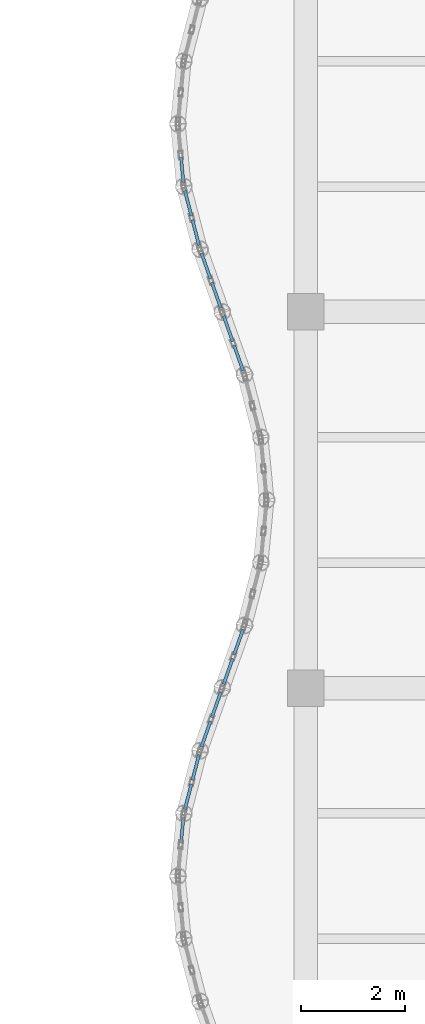
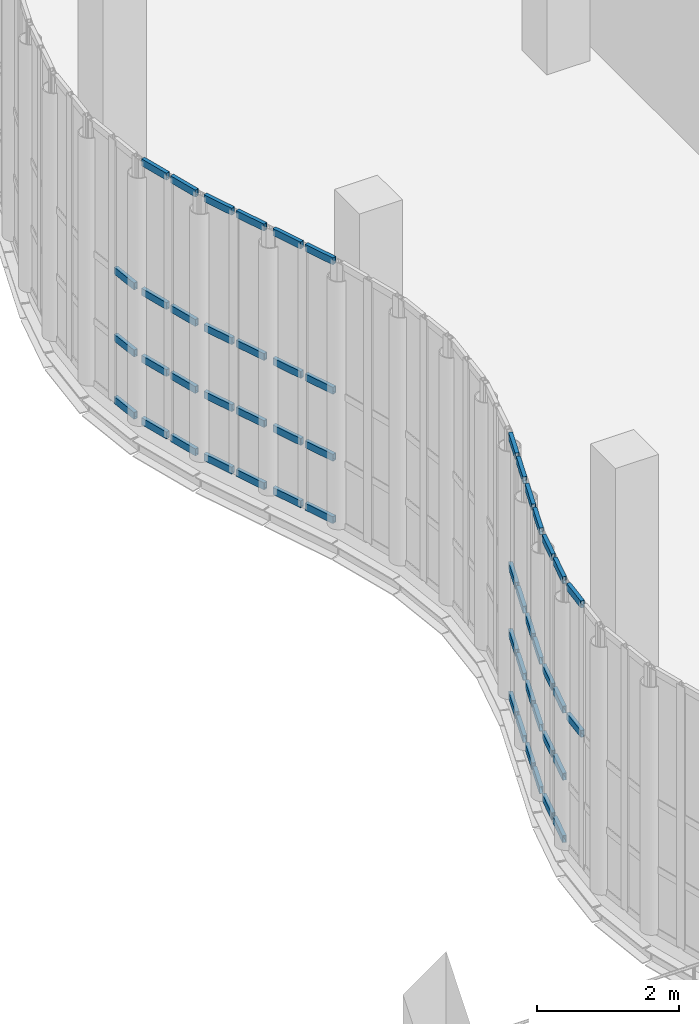
# One storey, part 52 of 108: 53 members, 8 elements without a shape of their own.
"""IFC4 building model written with IfcOpenShell, lengths in metres."""

from ifc_helpers import new_model, si_unit, direction, frame, origin, origin_2d, place, context, subcontext, project, spatial, hollow_rectangle, extrude, material, layer, layer_set, material_profile, profile_set, type_object, element, aggregate, save


model = new_model("IFC4")

# Units and contexts
model_context = context("Model", 3, precision=1e-05, world=origin(), true_north=direction((0.0, 1.0)))
body_context = subcontext(model_context, "Body", "Model", "MODEL_VIEW")
ifc_project = project(units=[si_unit("LENGTHUNIT", "METRE"), si_unit("AREAUNIT", "SQUARE_METRE"), si_unit("VOLUMEUNIT", "CUBIC_METRE"), si_unit("PLANEANGLEUNIT", "RADIAN"), si_unit("MASSUNIT", "GRAM", prefix="KILO"), si_unit("THERMODYNAMICTEMPERATUREUNIT", "KELVIN"), si_unit("POWERUNIT", "WATT")], contexts=[model_context])

# Site, building, storey
site_placement = place(None, origin())
site = spatial("IfcSite", under=ifc_project, at=site_placement, CompositionType="ELEMENT")
building_placement = place(site_placement, origin())
building = spatial("IfcBuilding", under=site, at=building_placement, Name="Kaldorven Railside Theatre", CompositionType="ELEMENT")
storey_placement = place(building_placement, frame((0.0, 0.0, 5.39990234375)))
storey = spatial("IfcBuildingStorey", under=building, at=storey_placement, Name="L01", CompositionType="ELEMENT", Elevation=5.39990234375)

# Curtain wall, members
ifc_material_1 = material(Name="Low-E laminated solar-control glass", Category="glass")
ifc_layer_1 = layer(ifc_material_1, 0.159912109375, Name="Low-E laminated solar-control glass")
ifc_layer_set_1 = layer_set([ifc_layer_1], Name="Low-E laminated solar-control glass")
curtain_wall_type_1 = type_object("IfcCurtainWallType", Name="CWT-03", PredefinedType="USERDEFINED", material=ifc_layer_set_1)
curtain_wall_1_placement = place(storey_placement, origin())
curtain_wall_1 = element("IfcCurtainWall", 1, at=curtain_wall_1_placement, inside=storey, type_object=curtain_wall_type_1, Name="Sinusoidal Fluted Curtain Wall CW-L01-W04", ObjectType="FLUTED GLAZING", PredefinedType="USERDEFINED")
ifc_material_2 = material(Name="Anodised bronze aluminium", Category="aluminium")
ifc_material_profile = material_profile(ifc_material_2, hollow_rectangle(XDim=0.06005859375, YDim=0.1201171875, WallThickness=0.0048828125, at=origin_2d()), Name="RHS 120x60x5")
ifc_profile_set = profile_set([ifc_material_profile], Name="Anodised bronze aluminium")
member_type = type_object("IfcMemberType", Name="CWT-120", PredefinedType="USERDEFINED", material=ifc_profile_set)
member_1_placement = place(storey_placement, frame((70.41064453125, 45.039794921875, 2.25), z_axis=(0.094594245591, 0.995515910823, 0.0), x_axis=(-0.995515910823, 0.094594245591, 0.0)))
member_1 = element("IfcMember", 2, at=member_1_placement, type_object=member_type, Name="CW-L01-W04 transom 2.3", ObjectType="TRANSOM", PredefinedType="USERDEFINED", context=body_context, shape_type="SweptSolid", body=[
    extrude(hollow_rectangle(XDim=0.06005859375, YDim=0.1201171875, WallThickness=0.0048828125, at=origin_2d()), origin(), (0.0, 0.0, 1.0), 0.482666015625),
])
member_2_placement = place(storey_placement, frame((70.41064453125, 45.039794921875, 4.47021484375), z_axis=(0.094594245591, 0.995515910823, 0.0), x_axis=(-0.995515910823, 0.094594245591, 0.0)))
member_2 = element("IfcMember", 3, at=member_2_placement, type_object=member_type, Name="CW-L01-W04 transom 2.4", ObjectType="TRANSOM", PredefinedType="USERDEFINED", context=body_context, shape_type="SweptSolid", body=[
    extrude(hollow_rectangle(XDim=0.06005859375, YDim=0.1201171875, WallThickness=0.0048828125, at=origin_2d()), origin(), (0.0, 0.0, 1.0), 0.482666015625),
])
aggregate(curtain_wall_1, [member_1, member_2])

ifc_layer_2 = layer(ifc_material_1, 0.159912109375, Name="Low-E laminated solar-control glass")
ifc_layer_set_2 = layer_set([ifc_layer_2], Name="Low-E laminated solar-control glass")
curtain_wall_type_2 = type_object("IfcCurtainWallType", Name="CWT-02", PredefinedType="USERDEFINED", material=ifc_layer_set_2)
curtain_wall_2_placement = place(storey_placement, origin())
curtain_wall_2 = element("IfcCurtainWall", 4, at=curtain_wall_2_placement, inside=storey, type_object=curtain_wall_type_2, Name="Sinusoidal Fluted Curtain Wall CW-L01-W05", ObjectType="FLUTED GLAZING", PredefinedType="USERDEFINED")
member_3_placement = place(storey_placement, frame((70.48388671875, 45.677490234375, 0.030029296875), z_axis=(0.251029954561, 0.967979318949, 0.0), x_axis=(-0.967979318949, 0.251029954561, 0.0)))
member_3 = element("IfcMember", 5, at=member_3_placement, type_object=member_type, Name="CW-L01-W05 transom 1.1", ObjectType="TRANSOM", PredefinedType="USERDEFINED", context=body_context, shape_type="SweptSolid", body=[
    extrude(hollow_rectangle(XDim=0.06005859375, YDim=0.1201171875, WallThickness=0.0048828125, at=origin_2d()), origin(), (0.0, 0.0, 1.0), 0.5),
])
member_4_placement = place(storey_placement, frame((70.48388671875, 45.677490234375, 1.10009765625), z_axis=(0.251029954561, 0.967979318949, 0.0), x_axis=(-0.967979318949, 0.251029954561, 0.0)))
member_4 = element("IfcMember", 6, at=member_4_placement, type_object=member_type, Name="CW-L01-W05 transom 1.2", ObjectType="TRANSOM", PredefinedType="USERDEFINED", context=body_context, shape_type="SweptSolid", body=[
    extrude(hollow_rectangle(XDim=0.06005859375, YDim=0.1201171875, WallThickness=0.0048828125, at=origin_2d()), origin(), (0.0, 0.0, 1.0), 0.5),
])
member_5_placement = place(storey_placement, frame((70.48388671875, 45.677490234375, 2.25), z_axis=(0.251029954561, 0.967979318949, 0.0), x_axis=(-0.967979318949, 0.251029954561, 0.0)))
member_5 = element("IfcMember", 7, at=member_5_placement, type_object=member_type, Name="CW-L01-W05 transom 1.3", ObjectType="TRANSOM", PredefinedType="USERDEFINED", context=body_context, shape_type="SweptSolid", body=[
    extrude(hollow_rectangle(XDim=0.06005859375, YDim=0.1201171875, WallThickness=0.0048828125, at=origin_2d()), origin(), (0.0, 0.0, 1.0), 0.5),
])
member_6_placement = place(storey_placement, frame((70.48388671875, 45.677490234375, 4.47021484375), z_axis=(0.251029954561, 0.967979318949, 0.0), x_axis=(-0.967979318949, 0.251029954561, 0.0)))
member_6 = element("IfcMember", 8, at=member_6_placement, type_object=member_type, Name="CW-L01-W05 transom 1.4", ObjectType="TRANSOM", PredefinedType="USERDEFINED", context=body_context, shape_type="SweptSolid", body=[
    extrude(hollow_rectangle(XDim=0.06005859375, YDim=0.1201171875, WallThickness=0.0048828125, at=origin_2d()), origin(), (0.0, 0.0, 1.0), 0.5),
])
member_7_placement = place(storey_placement, frame((70.62939453125, 46.23876953125, 0.030029296875), z_axis=(0.251029954561, 0.967979318949, 0.0), x_axis=(-0.967979318949, 0.251029954561, 0.0)))
member_7 = element("IfcMember", 9, at=member_7_placement, type_object=member_type, Name="CW-L01-W05 transom 2.1", ObjectType="TRANSOM", PredefinedType="USERDEFINED", context=body_context, shape_type="SweptSolid", body=[
    extrude(hollow_rectangle(XDim=0.06005859375, YDim=0.1201171875, WallThickness=0.0048828125, at=origin_2d()), origin(), (0.0, 0.0, 1.0), 0.5),
])
member_8_placement = place(storey_placement, frame((70.62939453125, 46.23876953125, 1.10009765625), z_axis=(0.251029954561, 0.967979318949, 0.0), x_axis=(-0.967979318949, 0.251029954561, 0.0)))
member_8 = element("IfcMember", 10, at=member_8_placement, type_object=member_type, Name="CW-L01-W05 transom 2.2", ObjectType="TRANSOM", PredefinedType="USERDEFINED", context=body_context, shape_type="SweptSolid", body=[
    extrude(hollow_rectangle(XDim=0.06005859375, YDim=0.1201171875, WallThickness=0.0048828125, at=origin_2d()), origin(), (0.0, 0.0, 1.0), 0.5),
])
member_9_placement = place(storey_placement, frame((70.62939453125, 46.23876953125, 2.25), z_axis=(0.251029954561, 0.967979318949, 0.0), x_axis=(-0.967979318949, 0.251029954561, 0.0)))
member_9 = element("IfcMember", 11, at=member_9_placement, type_object=member_type, Name="CW-L01-W05 transom 2.3", ObjectType="TRANSOM", PredefinedType="USERDEFINED", context=body_context, shape_type="SweptSolid", body=[
    extrude(hollow_rectangle(XDim=0.06005859375, YDim=0.1201171875, WallThickness=0.0048828125, at=origin_2d()), origin(), (0.0, 0.0, 1.0), 0.5),
])
member_10_placement = place(storey_placement, frame((70.62939453125, 46.23876953125, 4.47021484375), z_axis=(0.251029954561, 0.967979318949, 0.0), x_axis=(-0.967979318949, 0.251029954561, 0.0)))
member_10 = element("IfcMember", 12, at=member_10_placement, type_object=member_type, Name="CW-L01-W05 transom 2.4", ObjectType="TRANSOM", PredefinedType="USERDEFINED", context=body_context, shape_type="SweptSolid", body=[
    extrude(hollow_rectangle(XDim=0.06005859375, YDim=0.1201171875, WallThickness=0.0048828125, at=origin_2d()), origin(), (0.0, 0.0, 1.0), 0.5),
])
aggregate(curtain_wall_2, [member_3, member_4, member_5, member_6, member_7, member_8, member_9, member_10])

ifc_layer_3 = layer(ifc_material_1, 0.159912109375, Name="Low-E laminated solar-control glass")
ifc_layer_set_3 = layer_set([ifc_layer_3], Name="Low-E laminated solar-control glass")
curtain_wall_type_3 = type_object("IfcCurtainWallType", Name="CWT-01", PredefinedType="USERDEFINED", material=ifc_layer_set_3)
curtain_wall_3_placement = place(storey_placement, origin())
curtain_wall_3 = element("IfcCurtainWall", 13, at=curtain_wall_3_placement, inside=storey, type_object=curtain_wall_type_3, Name="Sinusoidal Fluted Curtain Wall CW-L01-W06", ObjectType="FLUTED GLAZING", PredefinedType="USERDEFINED")
member_11_placement = place(storey_placement, frame((70.8017578125, 46.87548828125, 0.030029296875), z_axis=(0.333759628763, 0.942658214948, 0.0), x_axis=(-0.942658214948, 0.333759628763, 0.0)))
member_11 = element("IfcMember", 14, at=member_11_placement, type_object=member_type, Name="CW-L01-W06 transom 1.1", ObjectType="TRANSOM", PredefinedType="USERDEFINED", context=body_context, shape_type="SweptSolid", body=[
    extrude(hollow_rectangle(XDim=0.06005859375, YDim=0.1201171875, WallThickness=0.0048828125, at=origin_2d()), origin(), (0.0, 0.0, 1.0), 0.516357421875),
])
member_12_placement = place(storey_placement, frame((70.8017578125, 46.87548828125, 1.10009765625), z_axis=(0.333759628763, 0.942658214948, 0.0), x_axis=(-0.942658214948, 0.333759628763, 0.0)))
member_12 = element("IfcMember", 15, at=member_12_placement, type_object=member_type, Name="CW-L01-W06 transom 1.2", ObjectType="TRANSOM", PredefinedType="USERDEFINED", context=body_context, shape_type="SweptSolid", body=[
    extrude(hollow_rectangle(XDim=0.06005859375, YDim=0.1201171875, WallThickness=0.0048828125, at=origin_2d()), origin(), (0.0, 0.0, 1.0), 0.516357421875),
])
member_13_placement = place(storey_placement, frame((70.8017578125, 46.87548828125, 2.25), z_axis=(0.333759628763, 0.942658214948, 0.0), x_axis=(-0.942658214948, 0.333759628763, 0.0)))
member_13 = element("IfcMember", 16, at=member_13_placement, type_object=member_type, Name="CW-L01-W06 transom 1.3", ObjectType="TRANSOM", PredefinedType="USERDEFINED", context=body_context, shape_type="SweptSolid", body=[
    extrude(hollow_rectangle(XDim=0.06005859375, YDim=0.1201171875, WallThickness=0.0048828125, at=origin_2d()), origin(), (0.0, 0.0, 1.0), 0.516357421875),
])
member_14_placement = place(storey_placement, frame((70.8017578125, 46.87548828125, 4.47021484375), z_axis=(0.333759628763, 0.942658214948, 0.0), x_axis=(-0.942658214948, 0.333759628763, 0.0)))
member_14 = element("IfcMember", 17, at=member_14_placement, type_object=member_type, Name="CW-L01-W06 transom 1.4", ObjectType="TRANSOM", PredefinedType="USERDEFINED", context=body_context, shape_type="SweptSolid", body=[
    extrude(hollow_rectangle(XDim=0.06005859375, YDim=0.1201171875, WallThickness=0.0048828125, at=origin_2d()), origin(), (0.0, 0.0, 1.0), 0.516357421875),
])
member_15_placement = place(storey_placement, frame((71.000732421875, 47.437744140625, 0.030029296875), z_axis=(0.334179614745, 0.942509408488, 0.0), x_axis=(-0.942509408488, 0.334179614745, 0.0)))
member_15 = element("IfcMember", 18, at=member_15_placement, type_object=member_type, Name="CW-L01-W06 transom 2.1", ObjectType="TRANSOM", PredefinedType="USERDEFINED", context=body_context, shape_type="SweptSolid", body=[
    extrude(hollow_rectangle(XDim=0.06005859375, YDim=0.1201171875, WallThickness=0.0048828125, at=origin_2d()), origin(), (0.0, 0.0, 1.0), 0.5166015625),
])
member_16_placement = place(storey_placement, frame((71.000732421875, 47.437744140625, 1.10009765625), z_axis=(0.334179614745, 0.942509408488, 0.0), x_axis=(-0.942509408488, 0.334179614745, 0.0)))
member_16 = element("IfcMember", 19, at=member_16_placement, type_object=member_type, Name="CW-L01-W06 transom 2.2", ObjectType="TRANSOM", PredefinedType="USERDEFINED", context=body_context, shape_type="SweptSolid", body=[
    extrude(hollow_rectangle(XDim=0.06005859375, YDim=0.1201171875, WallThickness=0.0048828125, at=origin_2d()), origin(), (0.0, 0.0, 1.0), 0.5166015625),
])
member_17_placement = place(storey_placement, frame((71.000732421875, 47.437744140625, 2.25), z_axis=(0.334179614745, 0.942509408488, 0.0), x_axis=(-0.942509408488, 0.334179614745, 0.0)))
member_17 = element("IfcMember", 20, at=member_17_placement, type_object=member_type, Name="CW-L01-W06 transom 2.3", ObjectType="TRANSOM", PredefinedType="USERDEFINED", context=body_context, shape_type="SweptSolid", body=[
    extrude(hollow_rectangle(XDim=0.06005859375, YDim=0.1201171875, WallThickness=0.0048828125, at=origin_2d()), origin(), (0.0, 0.0, 1.0), 0.5166015625),
])
member_18_placement = place(storey_placement, frame((71.000732421875, 47.437744140625, 4.47021484375), z_axis=(0.334179614745, 0.942509408488, 0.0), x_axis=(-0.942509408488, 0.334179614745, 0.0)))
member_18 = element("IfcMember", 21, at=member_18_placement, type_object=member_type, Name="CW-L01-W06 transom 2.4", ObjectType="TRANSOM", PredefinedType="USERDEFINED", context=body_context, shape_type="SweptSolid", body=[
    extrude(hollow_rectangle(XDim=0.06005859375, YDim=0.1201171875, WallThickness=0.0048828125, at=origin_2d()), origin(), (0.0, 0.0, 1.0), 0.5166015625),
])
aggregate(curtain_wall_3, [member_11, member_12, member_13, member_14, member_15, member_16, member_17, member_18])

curtain_wall_4_placement = place(storey_placement, origin())
curtain_wall_4 = element("IfcCurtainWall", 22, at=curtain_wall_4_placement, inside=storey, type_object=curtain_wall_type_3, Name="Sinusoidal Fluted Curtain Wall CW-L01-W07", ObjectType="FLUTED GLAZING", PredefinedType="USERDEFINED")
member_19_placement = place(storey_placement, frame((71.226806640625, 48.075439453125, 0.030029296875), z_axis=(0.333759628763, 0.942658214948, 0.0), x_axis=(-0.942658214948, 0.333759628763, 0.0)))
member_19 = element("IfcMember", 23, at=member_19_placement, type_object=member_type, Name="CW-L01-W07 transom 1.1", ObjectType="TRANSOM", PredefinedType="USERDEFINED", context=body_context, shape_type="SweptSolid", body=[
    extrude(hollow_rectangle(XDim=0.06005859375, YDim=0.1201171875, WallThickness=0.0048828125, at=origin_2d()), origin(), (0.0, 0.0, 1.0), 0.516357421875),
])
member_20_placement = place(storey_placement, frame((71.226806640625, 48.075439453125, 1.10009765625), z_axis=(0.333759628763, 0.942658214948, 0.0), x_axis=(-0.942658214948, 0.333759628763, 0.0)))
member_20 = element("IfcMember", 24, at=member_20_placement, type_object=member_type, Name="CW-L01-W07 transom 1.2", ObjectType="TRANSOM", PredefinedType="USERDEFINED", context=body_context, shape_type="SweptSolid", body=[
    extrude(hollow_rectangle(XDim=0.06005859375, YDim=0.1201171875, WallThickness=0.0048828125, at=origin_2d()), origin(), (0.0, 0.0, 1.0), 0.516357421875),
])
member_21_placement = place(storey_placement, frame((71.226806640625, 48.075439453125, 2.25), z_axis=(0.333759628763, 0.942658214948, 0.0), x_axis=(-0.942658214948, 0.333759628763, 0.0)))
member_21 = element("IfcMember", 25, at=member_21_placement, type_object=member_type, Name="CW-L01-W07 transom 1.3", ObjectType="TRANSOM", PredefinedType="USERDEFINED", context=body_context, shape_type="SweptSolid", body=[
    extrude(hollow_rectangle(XDim=0.06005859375, YDim=0.1201171875, WallThickness=0.0048828125, at=origin_2d()), origin(), (0.0, 0.0, 1.0), 0.516357421875),
])
member_22_placement = place(storey_placement, frame((71.226806640625, 48.075439453125, 4.47021484375), z_axis=(0.333759628763, 0.942658214948, 0.0), x_axis=(-0.942658214948, 0.333759628763, 0.0)))
member_22 = element("IfcMember", 26, at=member_22_placement, type_object=member_type, Name="CW-L01-W07 transom 1.4", ObjectType="TRANSOM", PredefinedType="USERDEFINED", context=body_context, shape_type="SweptSolid", body=[
    extrude(hollow_rectangle(XDim=0.06005859375, YDim=0.1201171875, WallThickness=0.0048828125, at=origin_2d()), origin(), (0.0, 0.0, 1.0), 0.516357421875),
])
member_23_placement = place(storey_placement, frame((71.42578125, 48.6376953125, 0.030029296875), z_axis=(0.334179614745, 0.942509408488, 0.0), x_axis=(-0.942509408488, 0.334179614745, 0.0)))
member_23 = element("IfcMember", 27, at=member_23_placement, type_object=member_type, Name="CW-L01-W07 transom 2.1", ObjectType="TRANSOM", PredefinedType="USERDEFINED", context=body_context, shape_type="SweptSolid", body=[
    extrude(hollow_rectangle(XDim=0.06005859375, YDim=0.1201171875, WallThickness=0.0048828125, at=origin_2d()), origin(), (0.0, 0.0, 1.0), 0.5166015625),
])
member_24_placement = place(storey_placement, frame((71.42578125, 48.6376953125, 1.10009765625), z_axis=(0.334179614745, 0.942509408488, 0.0), x_axis=(-0.942509408488, 0.334179614745, 0.0)))
member_24 = element("IfcMember", 28, at=member_24_placement, type_object=member_type, Name="CW-L01-W07 transom 2.2", ObjectType="TRANSOM", PredefinedType="USERDEFINED", context=body_context, shape_type="SweptSolid", body=[
    extrude(hollow_rectangle(XDim=0.06005859375, YDim=0.1201171875, WallThickness=0.0048828125, at=origin_2d()), origin(), (0.0, 0.0, 1.0), 0.5166015625),
])
member_25_placement = place(storey_placement, frame((71.42578125, 48.6376953125, 2.25), z_axis=(0.334179614745, 0.942509408488, 0.0), x_axis=(-0.942509408488, 0.334179614745, 0.0)))
member_25 = element("IfcMember", 29, at=member_25_placement, type_object=member_type, Name="CW-L01-W07 transom 2.3", ObjectType="TRANSOM", PredefinedType="USERDEFINED", context=body_context, shape_type="SweptSolid", body=[
    extrude(hollow_rectangle(XDim=0.06005859375, YDim=0.1201171875, WallThickness=0.0048828125, at=origin_2d()), origin(), (0.0, 0.0, 1.0), 0.5166015625),
])
member_26_placement = place(storey_placement, frame((71.42578125, 48.6376953125, 4.47021484375), z_axis=(0.334179614745, 0.942509408488, 0.0), x_axis=(-0.942509408488, 0.334179614745, 0.0)))
member_26 = element("IfcMember", 30, at=member_26_placement, type_object=member_type, Name="CW-L01-W07 transom 2.4", ObjectType="TRANSOM", PredefinedType="USERDEFINED", context=body_context, shape_type="SweptSolid", body=[
    extrude(hollow_rectangle(XDim=0.06005859375, YDim=0.1201171875, WallThickness=0.0048828125, at=origin_2d()), origin(), (0.0, 0.0, 1.0), 0.5166015625),
])
aggregate(curtain_wall_4, [member_19, member_20, member_21, member_22, member_23, member_24, member_25, member_26])

curtain_wall_5_placement = place(storey_placement, origin())
curtain_wall_5 = element("IfcCurtainWall", 31, at=curtain_wall_5_placement, inside=storey, type_object=curtain_wall_type_3, Name="Sinusoidal Fluted Curtain Wall CW-L01-W12", ObjectType="FLUTED GLAZING", PredefinedType="USERDEFINED")
member_27_placement = place(storey_placement, frame((71.598388671875, 54.075439453125, 0.030029296875), z_axis=(-0.334179614745, 0.942509408488, 0.0), x_axis=(-0.942509408488, -0.334179614745, 0.0)))
member_27 = element("IfcMember", 32, at=member_27_placement, type_object=member_type, Name="CW-L01-W12 transom 1.1", ObjectType="TRANSOM", PredefinedType="USERDEFINED", context=body_context, shape_type="SweptSolid", body=[
    extrude(hollow_rectangle(XDim=0.06005859375, YDim=0.1201171875, WallThickness=0.0048828125, at=origin_2d()), origin(), (0.0, 0.0, 1.0), 0.5166015625),
])
member_28_placement = place(storey_placement, frame((71.598388671875, 54.075439453125, 1.10009765625), z_axis=(-0.334179614745, 0.942509408488, 0.0), x_axis=(-0.942509408488, -0.334179614745, 0.0)))
member_28 = element("IfcMember", 33, at=member_28_placement, type_object=member_type, Name="CW-L01-W12 transom 1.2", ObjectType="TRANSOM", PredefinedType="USERDEFINED", context=body_context, shape_type="SweptSolid", body=[
    extrude(hollow_rectangle(XDim=0.06005859375, YDim=0.1201171875, WallThickness=0.0048828125, at=origin_2d()), origin(), (0.0, 0.0, 1.0), 0.5166015625),
])
member_29_placement = place(storey_placement, frame((71.598388671875, 54.075439453125, 2.25), z_axis=(-0.334179614745, 0.942509408488, 0.0), x_axis=(-0.942509408488, -0.334179614745, 0.0)))
member_29 = element("IfcMember", 34, at=member_29_placement, type_object=member_type, Name="CW-L01-W12 transom 1.3", ObjectType="TRANSOM", PredefinedType="USERDEFINED", context=body_context, shape_type="SweptSolid", body=[
    extrude(hollow_rectangle(XDim=0.06005859375, YDim=0.1201171875, WallThickness=0.0048828125, at=origin_2d()), origin(), (0.0, 0.0, 1.0), 0.5166015625),
])
member_30_placement = place(storey_placement, frame((71.598388671875, 54.075439453125, 4.47021484375), z_axis=(-0.334179614745, 0.942509408488, 0.0), x_axis=(-0.942509408488, -0.334179614745, 0.0)))
member_30 = element("IfcMember", 35, at=member_30_placement, type_object=member_type, Name="CW-L01-W12 transom 1.4", ObjectType="TRANSOM", PredefinedType="USERDEFINED", context=body_context, shape_type="SweptSolid", body=[
    extrude(hollow_rectangle(XDim=0.06005859375, YDim=0.1201171875, WallThickness=0.0048828125, at=origin_2d()), origin(), (0.0, 0.0, 1.0), 0.5166015625),
])
member_31_placement = place(storey_placement, frame((71.399169921875, 54.6376953125, 0.030029296875), z_axis=(-0.333759628763, 0.942658214948, 0.0), x_axis=(-0.942658214948, -0.333759628763, 0.0)))
member_31 = element("IfcMember", 36, at=member_31_placement, type_object=member_type, Name="CW-L01-W12 transom 2.1", ObjectType="TRANSOM", PredefinedType="USERDEFINED", context=body_context, shape_type="SweptSolid", body=[
    extrude(hollow_rectangle(XDim=0.06005859375, YDim=0.1201171875, WallThickness=0.0048828125, at=origin_2d()), origin(), (0.0, 0.0, 1.0), 0.516357421875),
])
member_32_placement = place(storey_placement, frame((71.399169921875, 54.6376953125, 1.10009765625), z_axis=(-0.333759628763, 0.942658214948, 0.0), x_axis=(-0.942658214948, -0.333759628763, 0.0)))
member_32 = element("IfcMember", 37, at=member_32_placement, type_object=member_type, Name="CW-L01-W12 transom 2.2", ObjectType="TRANSOM", PredefinedType="USERDEFINED", context=body_context, shape_type="SweptSolid", body=[
    extrude(hollow_rectangle(XDim=0.06005859375, YDim=0.1201171875, WallThickness=0.0048828125, at=origin_2d()), origin(), (0.0, 0.0, 1.0), 0.516357421875),
])
member_33_placement = place(storey_placement, frame((71.399169921875, 54.6376953125, 2.25), z_axis=(-0.333759628763, 0.942658214948, 0.0), x_axis=(-0.942658214948, -0.333759628763, 0.0)))
member_33 = element("IfcMember", 38, at=member_33_placement, type_object=member_type, Name="CW-L01-W12 transom 2.3", ObjectType="TRANSOM", PredefinedType="USERDEFINED", context=body_context, shape_type="SweptSolid", body=[
    extrude(hollow_rectangle(XDim=0.06005859375, YDim=0.1201171875, WallThickness=0.0048828125, at=origin_2d()), origin(), (0.0, 0.0, 1.0), 0.516357421875),
])
member_34_placement = place(storey_placement, frame((71.399169921875, 54.6376953125, 4.47021484375), z_axis=(-0.333759628763, 0.942658214948, 0.0), x_axis=(-0.942658214948, -0.333759628763, 0.0)))
member_34 = element("IfcMember", 39, at=member_34_placement, type_object=member_type, Name="CW-L01-W12 transom 2.4", ObjectType="TRANSOM", PredefinedType="USERDEFINED", context=body_context, shape_type="SweptSolid", body=[
    extrude(hollow_rectangle(XDim=0.06005859375, YDim=0.1201171875, WallThickness=0.0048828125, at=origin_2d()), origin(), (0.0, 0.0, 1.0), 0.516357421875),
])
aggregate(curtain_wall_5, [member_27, member_28, member_29, member_30, member_31, member_32, member_33, member_34])

curtain_wall_6_placement = place(storey_placement, origin())
curtain_wall_6 = element("IfcCurtainWall", 40, at=curtain_wall_6_placement, inside=storey, type_object=curtain_wall_type_3, Name="Sinusoidal Fluted Curtain Wall CW-L01-W13", ObjectType="FLUTED GLAZING", PredefinedType="USERDEFINED")
member_35_placement = place(storey_placement, frame((71.17333984375, 55.275390625, 0.030029296875), z_axis=(-0.334179614745, 0.942509408488, 0.0), x_axis=(-0.942509408488, -0.334179614745, 0.0)))
member_35 = element("IfcMember", 41, at=member_35_placement, type_object=member_type, Name="CW-L01-W13 transom 1.1", ObjectType="TRANSOM", PredefinedType="USERDEFINED", context=body_context, shape_type="SweptSolid", body=[
    extrude(hollow_rectangle(XDim=0.06005859375, YDim=0.1201171875, WallThickness=0.0048828125, at=origin_2d()), origin(), (0.0, 0.0, 1.0), 0.5166015625),
])
member_36_placement = place(storey_placement, frame((71.17333984375, 55.275390625, 1.10009765625), z_axis=(-0.334179614745, 0.942509408488, 0.0), x_axis=(-0.942509408488, -0.334179614745, 0.0)))
member_36 = element("IfcMember", 42, at=member_36_placement, type_object=member_type, Name="CW-L01-W13 transom 1.2", ObjectType="TRANSOM", PredefinedType="USERDEFINED", context=body_context, shape_type="SweptSolid", body=[
    extrude(hollow_rectangle(XDim=0.06005859375, YDim=0.1201171875, WallThickness=0.0048828125, at=origin_2d()), origin(), (0.0, 0.0, 1.0), 0.5166015625),
])
member_37_placement = place(storey_placement, frame((71.17333984375, 55.275390625, 2.25), z_axis=(-0.334179614745, 0.942509408488, 0.0), x_axis=(-0.942509408488, -0.334179614745, 0.0)))
member_37 = element("IfcMember", 43, at=member_37_placement, type_object=member_type, Name="CW-L01-W13 transom 1.3", ObjectType="TRANSOM", PredefinedType="USERDEFINED", context=body_context, shape_type="SweptSolid", body=[
    extrude(hollow_rectangle(XDim=0.06005859375, YDim=0.1201171875, WallThickness=0.0048828125, at=origin_2d()), origin(), (0.0, 0.0, 1.0), 0.5166015625),
])
member_38_placement = place(storey_placement, frame((71.17333984375, 55.275390625, 4.47021484375), z_axis=(-0.334179614745, 0.942509408488, 0.0), x_axis=(-0.942509408488, -0.334179614745, 0.0)))
member_38 = element("IfcMember", 44, at=member_38_placement, type_object=member_type, Name="CW-L01-W13 transom 1.4", ObjectType="TRANSOM", PredefinedType="USERDEFINED", context=body_context, shape_type="SweptSolid", body=[
    extrude(hollow_rectangle(XDim=0.06005859375, YDim=0.1201171875, WallThickness=0.0048828125, at=origin_2d()), origin(), (0.0, 0.0, 1.0), 0.5166015625),
])
member_39_placement = place(storey_placement, frame((70.97412109375, 55.837646484375, 0.030029296875), z_axis=(-0.333610954502, 0.942710841688, 0.0), x_axis=(-0.942710841688, -0.333610954502, 0.0)))
member_39 = element("IfcMember", 45, at=member_39_placement, type_object=member_type, Name="CW-L01-W13 transom 2.1", ObjectType="TRANSOM", PredefinedType="USERDEFINED", context=body_context, shape_type="SweptSolid", body=[
    extrude(hollow_rectangle(XDim=0.06005859375, YDim=0.1201171875, WallThickness=0.0048828125, at=origin_2d()), origin(), (0.0, 0.0, 1.0), 0.5166015625),
])
member_40_placement = place(storey_placement, frame((70.97412109375, 55.837646484375, 1.10009765625), z_axis=(-0.333610954502, 0.942710841688, 0.0), x_axis=(-0.942710841688, -0.333610954502, 0.0)))
member_40 = element("IfcMember", 46, at=member_40_placement, type_object=member_type, Name="CW-L01-W13 transom 2.2", ObjectType="TRANSOM", PredefinedType="USERDEFINED", context=body_context, shape_type="SweptSolid", body=[
    extrude(hollow_rectangle(XDim=0.06005859375, YDim=0.1201171875, WallThickness=0.0048828125, at=origin_2d()), origin(), (0.0, 0.0, 1.0), 0.5166015625),
])
member_41_placement = place(storey_placement, frame((70.97412109375, 55.837646484375, 2.25), z_axis=(-0.333610954502, 0.942710841688, 0.0), x_axis=(-0.942710841688, -0.333610954502, 0.0)))
member_41 = element("IfcMember", 47, at=member_41_placement, type_object=member_type, Name="CW-L01-W13 transom 2.3", ObjectType="TRANSOM", PredefinedType="USERDEFINED", context=body_context, shape_type="SweptSolid", body=[
    extrude(hollow_rectangle(XDim=0.06005859375, YDim=0.1201171875, WallThickness=0.0048828125, at=origin_2d()), origin(), (0.0, 0.0, 1.0), 0.5166015625),
])
member_42_placement = place(storey_placement, frame((70.97412109375, 55.837646484375, 4.47021484375), z_axis=(-0.333610954502, 0.942710841688, 0.0), x_axis=(-0.942710841688, -0.333610954502, 0.0)))
member_42 = element("IfcMember", 48, at=member_42_placement, type_object=member_type, Name="CW-L01-W13 transom 2.4", ObjectType="TRANSOM", PredefinedType="USERDEFINED", context=body_context, shape_type="SweptSolid", body=[
    extrude(hollow_rectangle(XDim=0.06005859375, YDim=0.1201171875, WallThickness=0.0048828125, at=origin_2d()), origin(), (0.0, 0.0, 1.0), 0.5166015625),
])
aggregate(curtain_wall_6, [member_35, member_36, member_37, member_38, member_39, member_40, member_41, member_42])

curtain_wall_7_placement = place(storey_placement, origin())
curtain_wall_7 = element("IfcCurtainWall", 49, at=curtain_wall_7_placement, inside=storey, type_object=curtain_wall_type_2, Name="Sinusoidal Fluted Curtain Wall CW-L01-W14", ObjectType="FLUTED GLAZING", PredefinedType="USERDEFINED")
member_43_placement = place(storey_placement, frame((70.7548828125, 56.4775390625, 0.030029296875), z_axis=(-0.251148682384, 0.967948521016, 0.0), x_axis=(-0.967948521016, -0.251148682384, 0.0)))
member_43 = element("IfcMember", 50, at=member_43_placement, type_object=member_type, Name="CW-L01-W14 transom 1.1", ObjectType="TRANSOM", PredefinedType="USERDEFINED", context=body_context, shape_type="SweptSolid", body=[
    extrude(hollow_rectangle(XDim=0.06005859375, YDim=0.1201171875, WallThickness=0.0048828125, at=origin_2d()), origin(), (0.0, 0.0, 1.0), 0.499755859375),
])
member_44_placement = place(storey_placement, frame((70.7548828125, 56.4775390625, 1.10009765625), z_axis=(-0.251148682384, 0.967948521016, 0.0), x_axis=(-0.967948521016, -0.251148682384, 0.0)))
member_44 = element("IfcMember", 51, at=member_44_placement, type_object=member_type, Name="CW-L01-W14 transom 1.2", ObjectType="TRANSOM", PredefinedType="USERDEFINED", context=body_context, shape_type="SweptSolid", body=[
    extrude(hollow_rectangle(XDim=0.06005859375, YDim=0.1201171875, WallThickness=0.0048828125, at=origin_2d()), origin(), (0.0, 0.0, 1.0), 0.499755859375),
])
member_45_placement = place(storey_placement, frame((70.7548828125, 56.4775390625, 2.25), z_axis=(-0.251148682384, 0.967948521016, 0.0), x_axis=(-0.967948521016, -0.251148682384, 0.0)))
member_45 = element("IfcMember", 52, at=member_45_placement, type_object=member_type, Name="CW-L01-W14 transom 1.3", ObjectType="TRANSOM", PredefinedType="USERDEFINED", context=body_context, shape_type="SweptSolid", body=[
    extrude(hollow_rectangle(XDim=0.06005859375, YDim=0.1201171875, WallThickness=0.0048828125, at=origin_2d()), origin(), (0.0, 0.0, 1.0), 0.499755859375),
])
member_46_placement = place(storey_placement, frame((70.7548828125, 56.4775390625, 4.47021484375), z_axis=(-0.251148682384, 0.967948521016, 0.0), x_axis=(-0.967948521016, -0.251148682384, 0.0)))
member_46 = element("IfcMember", 53, at=member_46_placement, type_object=member_type, Name="CW-L01-W14 transom 1.4", ObjectType="TRANSOM", PredefinedType="USERDEFINED", context=body_context, shape_type="SweptSolid", body=[
    extrude(hollow_rectangle(XDim=0.06005859375, YDim=0.1201171875, WallThickness=0.0048828125, at=origin_2d()), origin(), (0.0, 0.0, 1.0), 0.499755859375),
])
member_47_placement = place(storey_placement, frame((70.609375, 57.038818359375, 0.030029296875), z_axis=(-0.251148682384, 0.967948521016, 0.0), x_axis=(-0.967948521016, -0.251148682384, 0.0)))
member_47 = element("IfcMember", 54, at=member_47_placement, type_object=member_type, Name="CW-L01-W14 transom 2.1", ObjectType="TRANSOM", PredefinedType="USERDEFINED", context=body_context, shape_type="SweptSolid", body=[
    extrude(hollow_rectangle(XDim=0.06005859375, YDim=0.1201171875, WallThickness=0.0048828125, at=origin_2d()), origin(), (0.0, 0.0, 1.0), 0.499755859375),
])
member_48_placement = place(storey_placement, frame((70.609375, 57.038818359375, 1.10009765625), z_axis=(-0.251148682384, 0.967948521016, 0.0), x_axis=(-0.967948521016, -0.251148682384, 0.0)))
member_48 = element("IfcMember", 55, at=member_48_placement, type_object=member_type, Name="CW-L01-W14 transom 2.2", ObjectType="TRANSOM", PredefinedType="USERDEFINED", context=body_context, shape_type="SweptSolid", body=[
    extrude(hollow_rectangle(XDim=0.06005859375, YDim=0.1201171875, WallThickness=0.0048828125, at=origin_2d()), origin(), (0.0, 0.0, 1.0), 0.499755859375),
])
member_49_placement = place(storey_placement, frame((70.609375, 57.038818359375, 2.25), z_axis=(-0.251148682384, 0.967948521016, 0.0), x_axis=(-0.967948521016, -0.251148682384, 0.0)))
member_49 = element("IfcMember", 56, at=member_49_placement, type_object=member_type, Name="CW-L01-W14 transom 2.3", ObjectType="TRANSOM", PredefinedType="USERDEFINED", context=body_context, shape_type="SweptSolid", body=[
    extrude(hollow_rectangle(XDim=0.06005859375, YDim=0.1201171875, WallThickness=0.0048828125, at=origin_2d()), origin(), (0.0, 0.0, 1.0), 0.499755859375),
])
member_50_placement = place(storey_placement, frame((70.609375, 57.038818359375, 4.47021484375), z_axis=(-0.251148682384, 0.967948521016, 0.0), x_axis=(-0.967948521016, -0.251148682384, 0.0)))
member_50 = element("IfcMember", 57, at=member_50_placement, type_object=member_type, Name="CW-L01-W14 transom 2.4", ObjectType="TRANSOM", PredefinedType="USERDEFINED", context=body_context, shape_type="SweptSolid", body=[
    extrude(hollow_rectangle(XDim=0.06005859375, YDim=0.1201171875, WallThickness=0.0048828125, at=origin_2d()), origin(), (0.0, 0.0, 1.0), 0.499755859375),
])
aggregate(curtain_wall_7, [member_43, member_44, member_45, member_46, member_47, member_48, member_49, member_50])

curtain_wall_8_placement = place(storey_placement, origin())
curtain_wall_8 = element("IfcCurtainWall", 58, at=curtain_wall_8_placement, inside=storey, type_object=curtain_wall_type_1, Name="Sinusoidal Fluted Curtain Wall CW-L01-W15", ObjectType="FLUTED GLAZING", PredefinedType="USERDEFINED")
member_51_placement = place(storey_placement, frame((70.456298828125, 57.6796875, 0.030029296875), z_axis=(-0.094594245591, 0.995515910823, 0.0), x_axis=(-0.995515910823, -0.094594245591, 0.0)))
member_51 = element("IfcMember", 59, at=member_51_placement, type_object=member_type, Name="CW-L01-W15 transom 1.1", ObjectType="TRANSOM", PredefinedType="USERDEFINED", context=body_context, shape_type="SweptSolid", body=[
    extrude(hollow_rectangle(XDim=0.06005859375, YDim=0.1201171875, WallThickness=0.0048828125, at=origin_2d()), origin(), (0.0, 0.0, 1.0), 0.482666015625),
])
member_52_placement = place(storey_placement, frame((70.456298828125, 57.6796875, 1.10009765625), z_axis=(-0.094594245591, 0.995515910823, 0.0), x_axis=(-0.995515910823, -0.094594245591, 0.0)))
member_52 = element("IfcMember", 60, at=member_52_placement, type_object=member_type, Name="CW-L01-W15 transom 1.2", ObjectType="TRANSOM", PredefinedType="USERDEFINED", context=body_context, shape_type="SweptSolid", body=[
    extrude(hollow_rectangle(XDim=0.06005859375, YDim=0.1201171875, WallThickness=0.0048828125, at=origin_2d()), origin(), (0.0, 0.0, 1.0), 0.482666015625),
])
member_53_placement = place(storey_placement, frame((70.456298828125, 57.6796875, 2.25), z_axis=(-0.094594245591, 0.995515910823, 0.0), x_axis=(-0.995515910823, -0.094594245591, 0.0)))
member_53 = element("IfcMember", 61, at=member_53_placement, type_object=member_type, Name="CW-L01-W15 transom 1.3", ObjectType="TRANSOM", PredefinedType="USERDEFINED", context=body_context, shape_type="SweptSolid", body=[
    extrude(hollow_rectangle(XDim=0.06005859375, YDim=0.1201171875, WallThickness=0.0048828125, at=origin_2d()), origin(), (0.0, 0.0, 1.0), 0.482666015625),
])
aggregate(curtain_wall_8, [member_51, member_52, member_53])

save(model, "model.ifc")
